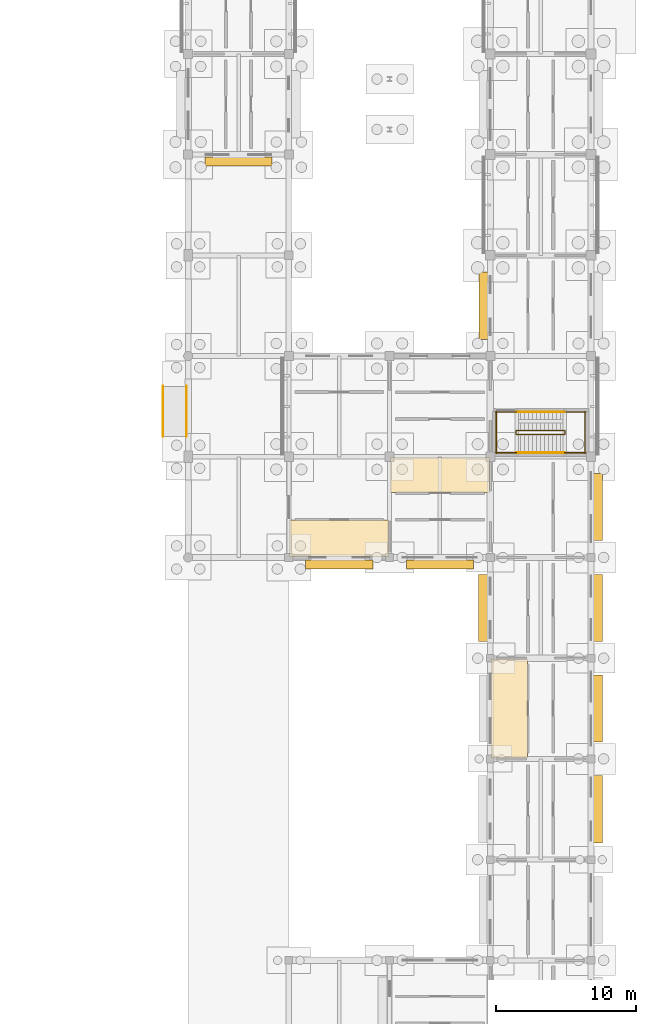
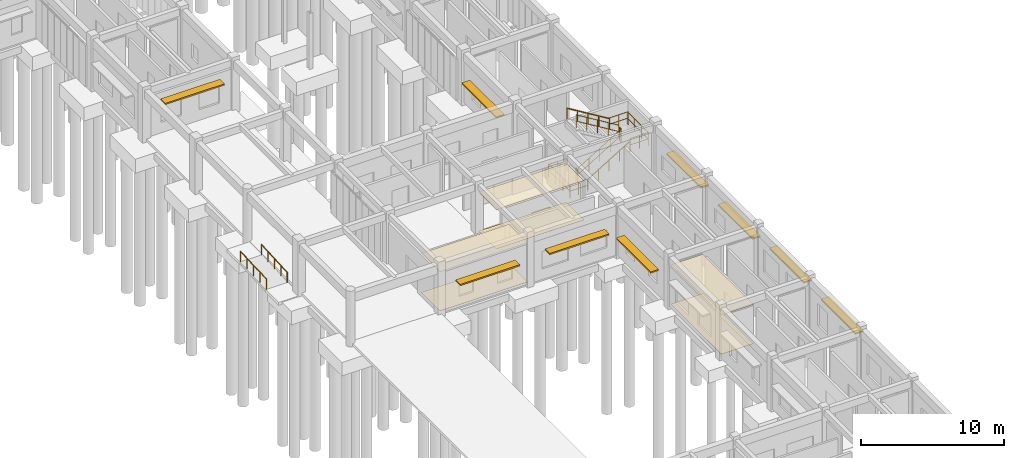
# One storey, part 108 of 111: 14 railings, 9 shading devices, 6 coverings.
"""IFC4 building model written with IfcOpenShell, lengths in metres."""

from ifc_helpers import new_model, si_unit, direction, frame, origin, origin_2d, place, context, subcontext, project, spatial, polyline, rectangle, circle, outline, extrude, material, layer, layer_set, type_object, element, save


model = new_model("IFC4")

# Units and contexts
model_context = context("Model", 3, precision=1e-05, world=origin(), true_north=direction((0.0, 1.0)))
body_context = subcontext(model_context, "Body", "Model", "MODEL_VIEW")
ifc_project = project(units=[si_unit("LENGTHUNIT", "METRE"), si_unit("AREAUNIT", "SQUARE_METRE"), si_unit("VOLUMEUNIT", "CUBIC_METRE"), si_unit("PLANEANGLEUNIT", "RADIAN"), si_unit("MASSUNIT", "GRAM", prefix="KILO")], contexts=[model_context])

# Site, building, storey
site_placement = place(None, origin())
site = spatial("IfcSite", under=ifc_project, at=site_placement, CompositionType="ELEMENT")
building_placement = place(site_placement, origin())
building = spatial("IfcBuilding", under=site, at=building_placement, Name="Aldebral Square Health Centre", CompositionType="ELEMENT")
storey_placement = place(building_placement, origin())
storey = spatial("IfcBuildingStorey", under=building, at=storey_placement, Name="L00", CompositionType="ELEMENT", Elevation=0.0)

# Coverings
ifc_material_1 = material(Name="Hygienic acoustic mineral ceiling tile")
ifc_layer_1 = layer(ifc_material_1, 0.02001953125, Name="Hygienic acoustic mineral ceiling tile")
ifc_layer_set_1 = layer_set([ifc_layer_1], Name="Hygienic acoustic mineral ceiling tile")
covering_type_1 = type_object("IfcCoveringType", Name="COV-CLG-AC", PredefinedType="CEILING", material=ifc_layer_set_1)
covering_1_placement = place(storey_placement, frame((0.0, 0.0, 3.340087890625)))
element("IfcCovering", 1, at=covering_1_placement, inside=storey, type_object=covering_type_1, Name="L00 Rehabilitation Gym 23.6W acoustic ceiling", PredefinedType="CEILING", context=body_context, shape_type="SweptSolid", body=[
    extrude(outline(polyline([(158.4599609375, 36.06005859375), (161.06005859375, 36.06005859375), (161.06005859375, 43.139892578125), (158.4599609375, 43.139892578125), (158.4599609375, 36.06005859375)])), origin(), (0.0, 0.0, 1.0), 0.02001953125),
])
covering_2_placement = place(storey_placement, frame((0.0, 0.0, 3.340087890625)))
element("IfcCovering", 2, at=covering_2_placement, inside=storey, type_object=covering_type_1, Name="L00 Medical Records Archive 21.8S acoustic ceiling", PredefinedType="CEILING", context=body_context, shape_type="SweptSolid", body=[
    extrude(outline(polyline([(144.06005859375, 50.4599609375), (151.139892578125, 50.4599609375), (151.139892578125, 53.080078125), (144.06005859375, 53.080078125), (144.06005859375, 50.4599609375)])), origin(), (0.0, 0.0, 1.0), 0.02001953125),
])
covering_3_placement = place(storey_placement, frame((0.0, 0.0, 3.340087890625)))
element("IfcCovering", 3, at=covering_3_placement, inside=storey, type_object=covering_type_1, Name="L00 Maternal-Child Clinic 22.8N acoustic ceiling", PredefinedType="CEILING", context=body_context, shape_type="SweptSolid", body=[
    extrude(outline(polyline([(151.260009765625, 55.0400390625), (158.340087890625, 55.0400390625), (158.340087890625, 57.5400390625), (151.260009765625, 57.5400390625), (151.260009765625, 55.0400390625)])), origin(), (0.0, 0.0, 1.0), 0.02001953125),
])
ifc_material_2 = material(Name="Antimicrobial clinical vinyl flooring")
ifc_layer_2 = layer(ifc_material_2, 0.014892578125, Name="Antimicrobial clinical vinyl flooring")
ifc_layer_set_2 = layer_set([ifc_layer_2], Name="Antimicrobial clinical vinyl flooring")
covering_type_2 = type_object("IfcCoveringType", Name="COV-FLR-VN", PredefinedType="FLOORING", material=ifc_layer_set_2)
covering_4_placement = place(storey_placement, origin())
element("IfcCovering", 4, at=covering_4_placement, inside=storey, type_object=covering_type_2, Name="L00 Rehabilitation Gym 23.6W clinical flooring", PredefinedType="FLOORING", context=body_context, shape_type="SweptSolid", body=[
    extrude(outline(polyline([(158.4599609375, 36.06005859375), (161.06005859375, 36.06005859375), (161.06005859375, 43.139892578125), (158.4599609375, 43.139892578125), (158.4599609375, 36.06005859375)])), origin(), (0.0, 0.0, 1.0), 0.014892578125),
])
covering_5_placement = place(storey_placement, origin())
element("IfcCovering", 5, at=covering_5_placement, inside=storey, type_object=covering_type_2, Name="L00 Medical Records Archive 21.8S clinical flooring", PredefinedType="FLOORING", context=body_context, shape_type="SweptSolid", body=[
    extrude(outline(polyline([(144.06005859375, 50.4599609375), (151.139892578125, 50.4599609375), (151.139892578125, 53.080078125), (144.06005859375, 53.080078125), (144.06005859375, 50.4599609375)])), origin(), (0.0, 0.0, 1.0), 0.014892578125),
])
covering_6_placement = place(storey_placement, origin())
element("IfcCovering", 6, at=covering_6_placement, inside=storey, type_object=covering_type_2, Name="L00 Maternal-Child Clinic 22.8N clinical flooring", PredefinedType="FLOORING", context=body_context, shape_type="SweptSolid", body=[
    extrude(outline(polyline([(151.260009765625, 55.0400390625), (158.340087890625, 55.0400390625), (158.340087890625, 57.5400390625), (151.260009765625, 57.5400390625), (151.260009765625, 55.0400390625)])), origin(), (0.0, 0.0, 1.0), 0.014892578125),
])

# Railings
ifc_material_3 = material(Name="Stainless steel handrail", Category="steel")
railing_type_1 = type_object("IfcRailingType", Name="RL-RMP-HND", PredefinedType="HANDRAIL", material=ifc_material_3)
for number, where, name in (
    (7, (136.68994140625, 59.0400390625, -0.179931640625), "East Clinic Colonnade Ramp handrail 1"),
    (8, (135.010009765625, 59.0400390625, -0.179931640625), "East Clinic Colonnade Ramp handrail 2"),
):
    element("IfcRailing", number, at=place(storey_placement, frame(where)), inside=storey, type_object=railing_type_1, Name=name, PredefinedType="HANDRAIL", context=body_context, shape_type="SweptSolid", body=[
        extrude(circle(Radius=0.02392578125, at=origin_2d()), frame((0.0, 0.0, 0.8759765625), z_axis=(0.0, 0.998753183312, 0.049920725405), x_axis=(-1.0, 0.0, 0.0)), (0.0, 0.0, 1.0), 3.604248046875),
        extrude(circle(Radius=0.02099609375, at=origin_2d()), origin(), (0.0, 0.0, 1.0), 0.851806640625),
        extrude(circle(Radius=0.02099609375, at=origin_2d()), frame((0.0, 0.89990234375, 0.044921875)), (0.0, 0.0, 1.0), 0.851806640625),
        extrude(circle(Radius=0.02099609375, at=origin_2d()), frame((0.0, 1.7998046875, 0.08984375)), (0.0, 0.0, 1.0), 0.851806640625),
        extrude(circle(Radius=0.02099609375, at=origin_2d()), frame((0.0, 2.699951171875, 0.135009765625)), (0.0, 0.0, 1.0), 0.851806640625),
        extrude(circle(Radius=0.02099609375, at=origin_2d()), frame((0.0, 3.599853515625, 0.179931640625)), (0.0, 0.0, 1.0), 0.851806640625),
    ])
ifc_material_4 = material(Name="Painted steel S355JR stair guard", Category="steel")
railing_type_2 = type_object("IfcRailingType", Name="RL-ST-GRD", PredefinedType="GUARDRAIL", material=ifc_material_4)
railing_1_placement = place(storey_placement, frame((160.280029296875, 59.18994140625, 0.173095703125)))
element("IfcRailing", 9, at=railing_1_placement, inside=storey, type_object=railing_type_2, Name="L00 ST-09 stair guard 1", PredefinedType="GUARDRAIL", context=body_context, shape_type="SweptSolid", body=[
    extrude(circle(Radius=0.02392578125, at=origin_2d()), frame((0.0, 0.0, 1.09619140625), z_axis=(0.854729506542, 0.0, 0.519073665916), x_axis=(0.0, 1.0, 0.0)), (0.0, 0.0, 1.0), 4.001220703125),
    extrude(circle(Radius=0.02392578125, at=origin_2d()), frame((0.0, 0.0, 0.56005859375), z_axis=(0.854729506542, 0.0, 0.519073665916), x_axis=(0.0, 1.0, 0.0)), (0.0, 0.0, 1.0), 4.001220703125),
    extrude(circle(Radius=0.02099609375, at=origin_2d()), origin(), (0.0, 0.0, 1.0), 1.072021484375),
    extrude(circle(Radius=0.02099609375, at=origin_2d()), frame((0.85498046875, 0.0, 0.519287109375)), (0.0, 0.0, 1.0), 1.072021484375),
    extrude(circle(Radius=0.02099609375, at=origin_2d()), frame((1.7099609375, 0.0, 1.03857421875)), (0.0, 0.0, 1.0), 1.072021484375),
    extrude(circle(Radius=0.02099609375, at=origin_2d()), frame((2.56494140625, 0.0, 1.5576171875)), (0.0, 0.0, 1.0), 1.072021484375),
    extrude(circle(Radius=0.02099609375, at=origin_2d()), frame((3.419921875, 0.0, 2.076904296875)), (0.0, 0.0, 1.0), 1.072021484375),
])
railing_2_placement = place(storey_placement, frame((163.75, 59.239990234375, 2.25)))
element("IfcRailing", 10, at=railing_2_placement, inside=storey, type_object=railing_type_2, Name="L00 ST-09 stair guard 2", PredefinedType="GUARDRAIL", context=body_context, shape_type="SweptSolid", body=[
    extrude(circle(Radius=0.02392578125, at=origin_2d()), frame((0.0, 0.0, 1.09619140625), z_axis=(0.0, 1.0, 0.0), x_axis=(-1.0, 0.0, 0.0)), (0.0, 0.0, 1.0), 0.199951171875),
    extrude(circle(Radius=0.02392578125, at=origin_2d()), frame((0.0, 0.0, 0.56005859375), z_axis=(0.0, 1.0, 0.0), x_axis=(-1.0, 0.0, 0.0)), (0.0, 0.0, 1.0), 0.199951171875),
    extrude(circle(Radius=0.02099609375, at=origin_2d()), origin(), (0.0, 0.0, 1.0), 1.072021484375),
    extrude(circle(Radius=0.02099609375, at=origin_2d()), frame((0.0, 0.199951171875, 0.0)), (0.0, 0.0, 1.0), 1.072021484375),
])
for number, where, name in (
    (11, (163.699951171875, 57.889892578125, 2.25), "L00 ST-09 stair guard 3"),
    (12, (163.699951171875, 60.7900390625, 2.25), "L00 ST-09 stair guard 4"),
):
    element("IfcRailing", number, at=place(storey_placement, frame(where)), inside=storey, type_object=railing_type_2, Name=name, PredefinedType="GUARDRAIL", context=body_context, shape_type="SweptSolid", body=[
        extrude(circle(Radius=0.02392578125, at=origin_2d()), frame((0.0, 0.0, 1.09619140625), z_axis=(1.0, 0.0, 0.0), x_axis=(0.0, 1.0, 0.0)), (0.0, 0.0, 1.0), 1.52001953125),
        extrude(circle(Radius=0.02392578125, at=origin_2d()), frame((0.0, 0.0, 0.56005859375), z_axis=(1.0, 0.0, 0.0), x_axis=(0.0, 1.0, 0.0)), (0.0, 0.0, 1.0), 1.52001953125),
        extrude(circle(Radius=0.02099609375, at=origin_2d()), origin(), (0.0, 0.0, 1.0), 1.072021484375),
        extrude(circle(Radius=0.02099609375, at=origin_2d()), frame((0.760009765625, 0.0, 0.0)), (0.0, 0.0, 1.0), 1.072021484375),
        extrude(circle(Radius=0.02099609375, at=origin_2d()), frame((1.52001953125, 0.0, 0.0)), (0.0, 0.0, 1.0), 1.072021484375),
    ])
railing_3_placement = place(storey_placement, frame((165.169921875, 57.840087890625, 2.25)))
element("IfcRailing", 13, at=railing_3_placement, inside=storey, type_object=railing_type_2, Name="L00 ST-09 stair guard 5", PredefinedType="GUARDRAIL", context=body_context, shape_type="SweptSolid", body=[
    extrude(circle(Radius=0.02392578125, at=origin_2d()), frame((0.0, 0.0, 1.09619140625), z_axis=(0.0, 1.0, 0.0), x_axis=(-1.0, 0.0, 0.0)), (0.0, 0.0, 1.0), 3.0),
    extrude(circle(Radius=0.02392578125, at=origin_2d()), frame((0.0, 0.0, 0.56005859375), z_axis=(0.0, 1.0, 0.0), x_axis=(-1.0, 0.0, 0.0)), (0.0, 0.0, 1.0), 3.0),
    extrude(circle(Radius=0.02099609375, at=origin_2d()), origin(), (0.0, 0.0, 1.0), 1.072021484375),
    extrude(circle(Radius=0.02099609375, at=origin_2d()), frame((0.0, 1.0, 0.0)), (0.0, 0.0, 1.0), 1.072021484375),
    extrude(circle(Radius=0.02099609375, at=origin_2d()), frame((0.0, 2.0, 0.0)), (0.0, 0.0, 1.0), 1.072021484375),
    extrude(circle(Radius=0.02099609375, at=origin_2d()), frame((0.0, 3.0, 0.0)), (0.0, 0.0, 1.0), 1.072021484375),
])
railing_4_placement = place(storey_placement, frame((163.699951171875, 59.489990234375, 2.423095703125)))
element("IfcRailing", 14, at=railing_4_placement, inside=storey, type_object=railing_type_2, Name="L00 ST-09 stair guard 6", PredefinedType="GUARDRAIL", context=body_context, shape_type="SweptSolid", body=[
    extrude(circle(Radius=0.02392578125, at=origin_2d()), frame((0.0, 0.0, 1.09619140625), z_axis=(-0.854729506542, 0.0, 0.519073665916), x_axis=(0.0, -1.0, 0.0)), (0.0, 0.0, 1.0), 4.001220703125),
    extrude(circle(Radius=0.02392578125, at=origin_2d()), frame((0.0, 0.0, 0.56005859375), z_axis=(-0.854729506542, 0.0, 0.519073665916), x_axis=(0.0, -1.0, 0.0)), (0.0, 0.0, 1.0), 4.001220703125),
    extrude(circle(Radius=0.02099609375, at=origin_2d()), origin(), (0.0, 0.0, 1.0), 1.072021484375),
    extrude(circle(Radius=0.02099609375, at=origin_2d()), frame((-0.85498046875, 0.0, 0.519287109375)), (0.0, 0.0, 1.0), 1.072021484375),
    extrude(circle(Radius=0.02099609375, at=origin_2d()), frame((-1.7099609375, 0.0, 1.03857421875)), (0.0, 0.0, 1.0), 1.072021484375),
    extrude(circle(Radius=0.02099609375, at=origin_2d()), frame((-2.56494140625, 0.0, 1.5576171875)), (0.0, 0.0, 1.0), 1.072021484375),
    extrude(circle(Radius=0.02099609375, at=origin_2d()), frame((-3.419921875, 0.0, 2.076904296875)), (0.0, 0.0, 1.0), 1.072021484375),
])
railing_5_placement = place(storey_placement, frame((160.22998046875, 59.239990234375, 0.0)))
element("IfcRailing", 15, at=railing_5_placement, inside=storey, type_object=railing_type_2, Name="L00 ST-09 stair guard 7", PredefinedType="GUARDRAIL", context=body_context, shape_type="SweptSolid", body=[
    extrude(circle(Radius=0.02392578125, at=origin_2d()), frame((0.0, 0.0, 1.09619140625), z_axis=(0.0, 1.0, 0.0), x_axis=(-1.0, 0.0, 0.0)), (0.0, 0.0, 1.0), 0.199951171875),
    extrude(circle(Radius=0.02392578125, at=origin_2d()), frame((0.0, 0.0, 0.56005859375), z_axis=(0.0, 1.0, 0.0), x_axis=(-1.0, 0.0, 0.0)), (0.0, 0.0, 1.0), 0.199951171875),
    extrude(circle(Radius=0.02099609375, at=origin_2d()), origin(), (0.0, 0.0, 1.0), 1.072021484375),
    extrude(circle(Radius=0.02099609375, at=origin_2d()), frame((0.0, 0.199951171875, 0.0)), (0.0, 0.0, 1.0), 1.072021484375),
])
for number, where, name in (
    (16, (158.780029296875, 57.889892578125, 0.0), "L00 ST-09 stair guard 8"),
    (17, (158.780029296875, 60.7900390625, 0.0), "L00 ST-09 stair guard 9"),
):
    element("IfcRailing", number, at=place(storey_placement, frame(where)), inside=storey, type_object=railing_type_2, Name=name, PredefinedType="GUARDRAIL", context=body_context, shape_type="SweptSolid", body=[
        extrude(circle(Radius=0.02392578125, at=origin_2d()), frame((0.0, 0.0, 1.09619140625), z_axis=(1.0, 0.0, 0.0), x_axis=(0.0, 1.0, 0.0)), (0.0, 0.0, 1.0), 1.5),
        extrude(circle(Radius=0.02392578125, at=origin_2d()), frame((0.0, 0.0, 0.56005859375), z_axis=(1.0, 0.0, 0.0), x_axis=(0.0, 1.0, 0.0)), (0.0, 0.0, 1.0), 1.5),
        extrude(circle(Radius=0.02099609375, at=origin_2d()), origin(), (0.0, 0.0, 1.0), 1.072021484375),
        extrude(circle(Radius=0.02099609375, at=origin_2d()), frame((0.75, 0.0, 0.0)), (0.0, 0.0, 1.0), 1.072021484375),
        extrude(circle(Radius=0.02099609375, at=origin_2d()), frame((1.5, 0.0, 0.0)), (0.0, 0.0, 1.0), 1.072021484375),
    ])
railing_6_placement = place(storey_placement, frame((158.830078125, 57.840087890625, 0.0)))
element("IfcRailing", 18, at=railing_6_placement, inside=storey, type_object=railing_type_2, Name="L00 ST-09 stair guard 10", PredefinedType="GUARDRAIL", context=body_context, shape_type="SweptSolid", body=[
    extrude(circle(Radius=0.02392578125, at=origin_2d()), frame((0.0, 0.0, 1.09619140625), z_axis=(0.0, 1.0, 0.0), x_axis=(-1.0, 0.0, 0.0)), (0.0, 0.0, 1.0), 3.0),
    extrude(circle(Radius=0.02392578125, at=origin_2d()), frame((0.0, 0.0, 0.56005859375), z_axis=(0.0, 1.0, 0.0), x_axis=(-1.0, 0.0, 0.0)), (0.0, 0.0, 1.0), 3.0),
    extrude(circle(Radius=0.02099609375, at=origin_2d()), origin(), (0.0, 0.0, 1.0), 1.072021484375),
    extrude(circle(Radius=0.02099609375, at=origin_2d()), frame((0.0, 1.0, 0.0)), (0.0, 0.0, 1.0), 1.072021484375),
    extrude(circle(Radius=0.02099609375, at=origin_2d()), frame((0.0, 2.0, 0.0)), (0.0, 0.0, 1.0), 1.072021484375),
    extrude(circle(Radius=0.02099609375, at=origin_2d()), frame((0.0, 3.0, 0.0)), (0.0, 0.0, 1.0), 1.072021484375),
])
ifc_material_5 = material(Name="Brushed stainless steel handrail", Category="steel")
railing_type_3 = type_object("IfcRailingType", Name="RL-ST-HND", PredefinedType="HANDRAIL", material=ifc_material_5)
railing_7_placement = place(storey_placement, frame((160.280029296875, 57.889892578125, 0.173095703125)))
element("IfcRailing", 19, at=railing_7_placement, inside=storey, type_object=railing_type_3, Name="L00 ST-09 stair handrail 1", PredefinedType="HANDRAIL", context=body_context, shape_type="SweptSolid", body=[
    extrude(circle(Radius=0.02392578125, at=origin_2d()), frame((0.0, 0.0, 0.8759765625), z_axis=(0.854729506542, 0.0, 0.519073665916), x_axis=(0.0, 1.0, 0.0)), (0.0, 0.0, 1.0), 4.001220703125),
    extrude(circle(Radius=0.02099609375, at=origin_2d()), origin(), (0.0, 0.0, 1.0), 0.851806640625),
    extrude(circle(Radius=0.02099609375, at=origin_2d()), frame((0.85498046875, 0.0, 0.519287109375)), (0.0, 0.0, 1.0), 0.851806640625),
    extrude(circle(Radius=0.02099609375, at=origin_2d()), frame((1.7099609375, 0.0, 1.03857421875)), (0.0, 0.0, 1.0), 0.851806640625),
    extrude(circle(Radius=0.02099609375, at=origin_2d()), frame((2.56494140625, 0.0, 1.5576171875)), (0.0, 0.0, 1.0), 0.851806640625),
    extrude(circle(Radius=0.02099609375, at=origin_2d()), frame((3.419921875, 0.0, 2.076904296875)), (0.0, 0.0, 1.0), 0.851806640625),
])
railing_8_placement = place(storey_placement, frame((163.699951171875, 60.7900390625, 2.423095703125)))
element("IfcRailing", 20, at=railing_8_placement, inside=storey, type_object=railing_type_3, Name="L00 ST-09 stair handrail 2", PredefinedType="HANDRAIL", context=body_context, shape_type="SweptSolid", body=[
    extrude(circle(Radius=0.02392578125, at=origin_2d()), frame((0.0, 0.0, 0.8759765625), z_axis=(-0.854729506542, 0.0, 0.519073665916), x_axis=(0.0, -1.0, 0.0)), (0.0, 0.0, 1.0), 4.001220703125),
    extrude(circle(Radius=0.02099609375, at=origin_2d()), origin(), (0.0, 0.0, 1.0), 0.851806640625),
    extrude(circle(Radius=0.02099609375, at=origin_2d()), frame((-0.85498046875, 0.0, 0.519287109375)), (0.0, 0.0, 1.0), 0.851806640625),
    extrude(circle(Radius=0.02099609375, at=origin_2d()), frame((-1.7099609375, 0.0, 1.03857421875)), (0.0, 0.0, 1.0), 0.851806640625),
    extrude(circle(Radius=0.02099609375, at=origin_2d()), frame((-2.56494140625, 0.0, 1.5576171875)), (0.0, 0.0, 1.0), 0.851806640625),
    extrude(circle(Radius=0.02099609375, at=origin_2d()), frame((-3.419921875, 0.0, 2.076904296875)), (0.0, 0.0, 1.0), 0.851806640625),
])

# Shading devices
ifc_material_6 = material(Name="Sienna-terracotta solar hood", Category="masonry")
shading_device_type = type_object("IfcShadingDeviceType", Name="SHD-LVR-1", PredefinedType="JALOUSIE", material=ifc_material_6)
for number, where, z_axis, x_axis, name in (
    (21, (140.39990234375, 78.695068359375, 2.800048828125), (0.0, 0.0, 1.0), (1.0, 0.0, 0.0), "L00 solar hood L00-V5-19-11-S"),
    (22, (147.60009765625, 49.905029296875, 2.300048828125), (0.0, 0.0, 1.0), (1.0, 0.0, 0.0), "L00 solar hood L00-V5-20-07-S"),
    (23, (154.800048828125, 49.89501953125, 2.419921875), (0.0, 0.0, 1.0), (1.0, 0.0, 0.0), "L00 solar hood L00-V5-21-07-S"),
    (24, (166.10498046875, 32.39990234375, 2.800048828125), (0.0, 0.0, 1.0), (0.0, 1.0, 0.0), "L00 solar hood L00-V3-22-04-E"),
    (25, (166.094970703125, 39.60009765625, 2.800048828125), (0.0, 0.0, 1.0), (0.0, 1.0, 0.0), "L00 solar hood L00-V3-22-05-E"),
    (26, (157.89501953125, 46.800048828125, 2.169921875), (0.0, 0.0, 1.0), (0.0, 1.0, 0.0), "L00 solar hood L00-V3-22-06-W"),
    (27, (166.10498046875, 46.800048828125, 2.169921875), (0.0, 0.0, 1.0), (0.0, 1.0, 0.0), "L00 solar hood L00-V3-22-06-E"),
    (28, (166.094970703125, 54.0, 2.169921875), (0.0, 0.0, 1.0), (0.0, 1.0, 0.0), "L00 solar hood L00-V5-22-07-E"),
    (29, (157.905029296875, 68.39990234375, 2.300048828125), (0.0, 0.0, 1.0), (0.0, 1.0, 0.0), "L00 solar hood L00-V5-22-09-W"),
):
    element("IfcShadingDevice", number, at=place(storey_placement, frame(where, z_axis=z_axis, x_axis=x_axis)), inside=storey, type_object=shading_device_type, Name=name, PredefinedType="JALOUSIE", context=body_context, shape_type="SweptSolid", body=[
        extrude(rectangle(XDim=4.800048828125, YDim=0.64990234375, at=origin_2d()), origin(), (0.0, 0.0, 1.0), 0.1201171875),
    ])

save(model, "model.ifc")
